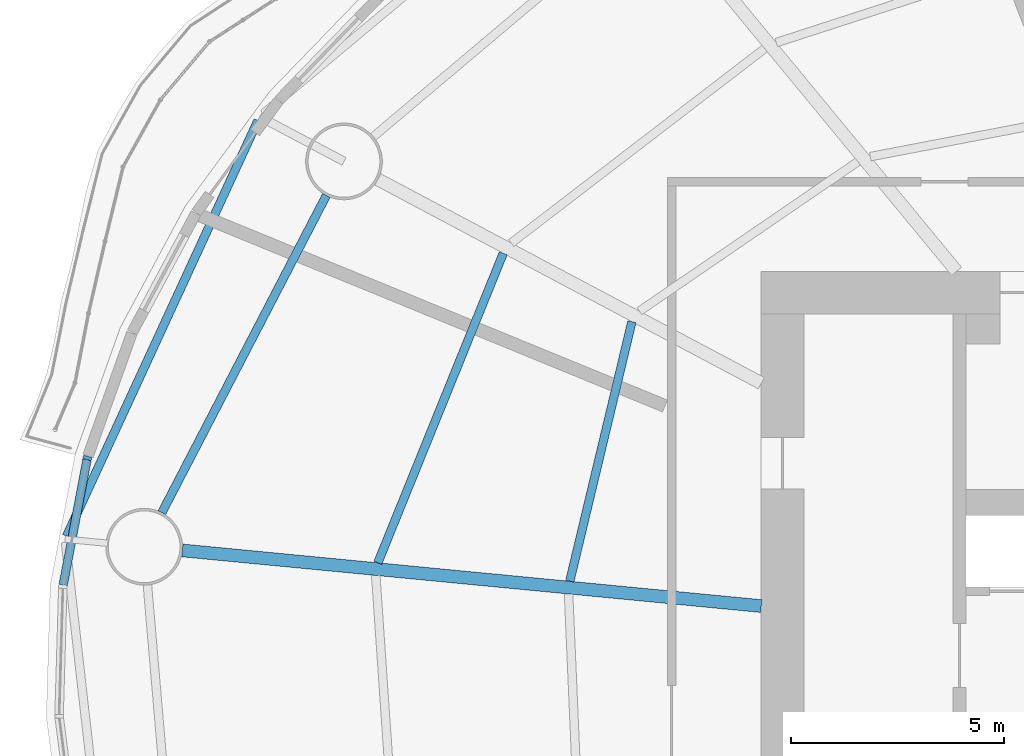
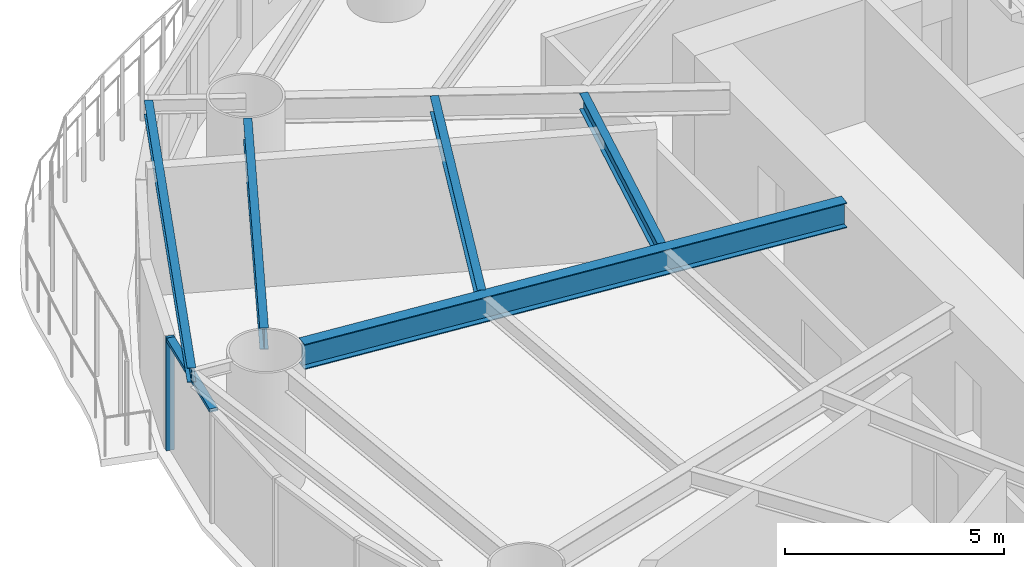
# One storey, part 3 of 16: 5 beams, 2 members, 1 element without a shape of its own.
"""IFC4 building model written with IfcOpenShell, lengths in metres."""

import ifcopenshell
import ifcopenshell.guid

model = None  # the IFC model being written
_history = None  # IfcOwnerHistory: only IFC2X3 demands one
_inside = {}  # id of a spatial element -> (the spatial element, [elements in it])
_under = {}  # id of a project, library or spatial element -> (it, [spatial elements below it])
_declared = {}  # id of a project -> (the project, [libraries it declares])
_typed = {}  # id of a type object -> (the type object, [elements of that type])
_made_of = {}  # id of a material, layer set ... -> (it, [elements and type objects made of it])


def new_model(schema):
    """Start an empty IFC model of exactly this schema.

    Asked for "IFC4X3", IfcOpenShell would pick the latest addendum, in which some entities
    have other attributes; the version numbers below select the first issue.
    IFC2X3 requires an IfcOwnerHistory on every rooted entity: one is made here for all.
    """
    global model, _history
    if schema == "IFC4X3":
        model = ifcopenshell.file(schema_version=(4, 3, 0, 0))
    else:
        model = ifcopenshell.file(schema=schema)
    _inside.clear()
    _under.clear()
    _declared.clear()
    _typed.clear()
    _made_of.clear()
    _history = None
    if model.schema == "IFC2X3":
        org = make("IfcOrganization", Name="unknown")
        user = make(
            "IfcPersonAndOrganization",
            ThePerson=make("IfcPerson", FamilyName="unknown"),
            TheOrganization=org,
        )
        app = make(
            "IfcApplication",
            ApplicationDeveloper=org,
            Version="unknown",
            ApplicationFullName="unknown",
            ApplicationIdentifier="unknown",
        )
        _history = make(
            "IfcOwnerHistory",
            OwningUser=user,
            OwningApplication=app,
            ChangeAction="ADDED",
            CreationDate=0,
        )
    return model


def make(cls, **values):
    """One entity of the class cls with the attributes given. An attribute that is None is left unset."""
    return model.create_entity(
        cls, **{name: value for name, value in values.items() if value is not None}
    )


def rooted(cls, **values):
    """An entity with a GlobalId (a new one), such as an element, a storey or a relation."""
    return make(cls, GlobalId=ifcopenshell.guid.new(), OwnerHistory=_history, **values)


def si_unit(unit_type, name, prefix=None):
    """IfcSIUnit, for example si_unit("LENGTHUNIT", "METRE", prefix="MILLI")."""
    return make("IfcSIUnit", UnitType=unit_type, Prefix=prefix, Name=name)


def assignment(units):
    """IfcUnitAssignment: the units of a project."""
    return None if units is None else make("IfcUnitAssignment", Units=units)


def point(xyz):
    """IfcCartesianPoint."""
    return None if xyz is None else make("IfcCartesianPoint", Coordinates=xyz)


def direction(xyz):
    """IfcDirection."""
    return None if xyz is None else make("IfcDirection", DirectionRatios=xyz)


def frame(location, z_axis=None, x_axis=None):
    """IfcAxis2Placement3D, a coordinate frame: its origin and axes. An axis left out is left unset."""
    return make(
        "IfcAxis2Placement3D",
        Location=point(location),
        Axis=direction(z_axis),
        RefDirection=direction(x_axis),
    )


def frame_2d(location, x_axis=None):
    """IfcAxis2Placement2D, a coordinate frame in the plane: its origin and x axis."""
    return make(
        "IfcAxis2Placement2D", Location=point(location), RefDirection=direction(x_axis)
    )


def origin():
    """The frame at (0, 0, 0) with its axes left unset."""
    return frame((0.0, 0.0, 0.0))


def origin_2d():
    """The frame at (0, 0) in the plane with its x axis left unset."""
    return frame_2d((0.0, 0.0))


def place(relative_to, where):
    """IfcLocalPlacement: puts the frame where relative to a parent placement (None: the world)."""
    return make(
        "IfcLocalPlacement", PlacementRelTo=relative_to, RelativePlacement=where
    )


def context(
    kind, dimensions, precision=None, world=None, true_north=None, identifier=None
):
    """IfcGeometricRepresentationContext, for example the 3D "Model" context."""
    return make(
        "IfcGeometricRepresentationContext",
        ContextIdentifier=identifier,
        ContextType=kind,
        CoordinateSpaceDimension=dimensions,
        Precision=precision,
        WorldCoordinateSystem=world,
        TrueNorth=true_north,
    )


def subcontext(parent, identifier, kind, view, scale=None):
    """IfcGeometricRepresentationSubContext, for example "Body" below "Model"."""
    return make(
        "IfcGeometricRepresentationSubContext",
        ContextIdentifier=identifier,
        ContextType=kind,
        ParentContext=parent,
        TargetScale=scale,
        TargetView=view,
    )


def project(units=None, contexts=None):
    """IfcProject with its units and contexts."""
    return rooted(
        "IfcProject",
        Name="project",
        RepresentationContexts=contexts,
        UnitsInContext=assignment(units),
    )


def spatial(cls, under=None, at=None, **own):
    """A site, building, storey or space (cls), placed at a placement, below another one or the project."""
    s = rooted(cls, ObjectPlacement=at, **own)
    if under is not None:
        _under.setdefault(under.id(), (under, []))[1].append(s)
    return s


def profile(cls, at=None, kind="AREA", **sizes):
    """A parametric profile (cls). Its sizes go by their IFC names, for example OverallWidth=200.0."""
    return make(cls, ProfileType=kind, Position=at, **sizes)


def rectangle(**sizes):
    """IfcRectangleProfileDef."""
    return profile("IfcRectangleProfileDef", **sizes)


def i_section(**sizes):
    """IfcIShapeProfileDef."""
    return profile("IfcIShapeProfileDef", **sizes)


def extrude(swept, where, along, depth):
    """IfcExtrudedAreaSolid: the profile swept, set in the frame where, extruded along a direction by depth."""
    return make(
        "IfcExtrudedAreaSolid",
        SweptArea=swept,
        Position=where,
        ExtrudedDirection=direction(along),
        Depth=depth,
    )


def shape(context_of_items, identifier, shape_type, items):
    """IfcShapeRepresentation: the items that make up one representation, for example the "Body"."""
    return make(
        "IfcShapeRepresentation",
        ContextOfItems=context_of_items,
        RepresentationIdentifier=identifier,
        RepresentationType=shape_type,
        Items=items,
    )


def material(Name=None, Category=None):
    """IfcMaterial."""
    return make("IfcMaterial", Name=Name, Category=Category)


def material_profile(
    of_material, cross_section, Name=None, Category=None, Priority=None
):
    """IfcMaterialProfile: a cross section and its material."""
    return make(
        "IfcMaterialProfile",
        Name=Name,
        Material=of_material,
        Profile=cross_section,
        Priority=Priority,
        Category=Category,
    )


def profile_set(profiles, Name=None, composite=None):
    """IfcMaterialProfileSet."""
    return make(
        "IfcMaterialProfileSet",
        Name=Name,
        MaterialProfiles=profiles,
        CompositeProfile=composite,
    )


def made_of(thing, what):
    """Note that an element or type object is made of a material, layer set ...; save() writes the relation."""
    if what is not None:
        _made_of.setdefault(what.id(), (what, []))[1].append(thing)
    return thing


def type_object(cls, material=None, **own):
    """A type object (cls), such as IfcWallType, which elements share."""
    return made_of(rooted(cls, **own), material)


def element(
    cls,
    number,
    at=None,
    inside=None,
    cuts=None,
    type_object=None,
    material=None,
    context=None,
    identifier="Body",
    shape_type=None,
    held_by="IfcProductDefinitionShape",
    body=None,
    shapes=None,
    **own,
):
    """One element of the class cls, such as IfcWall. Its Tag is "e" and its number.

    at: its placement. inside: the storey or other place that contains it. cuts: it is an
    opening in that element (IfcRelVoidsElement). A single representation is given by context,
    identifier, shape_type and body (its items); several are given by shapes. held_by: the class
    of the entity that holds the representations. save() writes the other relations.
    """
    e = rooted(cls, Tag="e%d" % number, ObjectPlacement=at, **own)
    if body is not None:
        shapes = [shape(context, identifier, shape_type, body)]
    if shapes is not None:
        e.Representation = make(held_by, Representations=shapes)
    if inside is not None:
        _inside.setdefault(inside.id(), (inside, []))[1].append(e)
    if cuts is not None:
        rooted(
            "IfcRelVoidsElement", RelatingBuildingElement=cuts, RelatedOpeningElement=e
        )
    if type_object is not None:
        _typed.setdefault(type_object.id(), (type_object, []))[1].append(e)
    return made_of(e, material)


def aggregate(whole, parts):
    """IfcRelAggregates: a whole, such as a stair, and the parts it consists of."""
    return rooted("IfcRelAggregates", RelatingObject=whole, RelatedObjects=parts)


def save(model, path):
    """Write the relations noted so far, then the file.

    IfcRelAggregates (storeys below a building ...), IfcRelContainedInSpatialStructure (elements
    in a storey), IfcRelDefinesByType, IfcRelAssociatesMaterial and IfcRelDeclares: one each for
    every whole, place, type object, material and project.
    """
    for whole, parts in _under.values():
        aggregate(whole, parts)
    for where, things in _inside.values():
        rooted(
            "IfcRelContainedInSpatialStructure",
            RelatedElements=things,
            RelatingStructure=where,
        )
    for kind, things in _typed.values():
        rooted("IfcRelDefinesByType", RelatedObjects=things, RelatingType=kind)
    for what, things in _made_of.values():
        rooted("IfcRelAssociatesMaterial", RelatedObjects=things, RelatingMaterial=what)
    for by, libraries in _declared.values():
        rooted("IfcRelDeclares", RelatingContext=by, RelatedDefinitions=libraries)
    model.write(path)


model = new_model("IFC4")

# Units and contexts
model_context = context("Model", 3, precision=1e-05, world=origin(), true_north=direction((0.0, 1.0)))
body_context = subcontext(model_context, "Body", "Model", "MODEL_VIEW")
ifc_project = project(units=[si_unit("LENGTHUNIT", "METRE"), si_unit("AREAUNIT", "SQUARE_METRE"), si_unit("VOLUMEUNIT", "CUBIC_METRE"), si_unit("PLANEANGLEUNIT", "RADIAN"), si_unit("MASSUNIT", "GRAM", prefix="KILO")], contexts=[model_context])

# Site, building, storey
site_placement = place(None, origin())
site = spatial("IfcSite", under=ifc_project, at=site_placement, CompositionType="ELEMENT")
building_placement = place(site_placement, origin())
building = spatial("IfcBuilding", under=site, at=building_placement, Name="Vermilion Reach Broadcast Tower", CompositionType="ELEMENT")
storey_placement = place(building_placement, frame((0.0, 0.0, 47.10009765625)))
storey = spatial("IfcBuildingStorey", under=building, at=storey_placement, Name="L08", CompositionType="ELEMENT", Elevation=47.10009765625)

# Beams
ifc_material_1 = material(Name="Steel S355J2", Category="steel")
ifc_material_profile_1 = material_profile(ifc_material_1, i_section(OverallWidth=0.199951171875, OverallDepth=0.39990234375, WebThickness=0.008056640625, FlangeThickness=0.012939453125, at=origin_2d()), Name="S355J2 HN 400x200x8x13")
ifc_profile_set_1 = profile_set([ifc_material_profile_1], Name="Steel S355J2")
beam_type_1 = type_object("IfcBeamType", Name="EB1 HN 400x200x8x13", PredefinedType="BEAM", material=ifc_profile_set_1)
beam_1_placement = place(storey_placement, frame((-29.7958984375, 12.533935546875, 3.349853515625), z_axis=(-0.41837229911, -0.908275629607, 0.0), x_axis=(0.908275629607, -0.41837229911, 0.0)))
element("IfcBeam", 1, at=beam_1_placement, inside=storey, type_object=beam_type_1, Name="Edge beam EB1-07", PredefinedType="BEAM", context=body_context, shape_type="SweptSolid", body=[
    extrude(i_section(OverallWidth=0.199951171875, OverallDepth=0.39990234375, WebThickness=0.008056640625, FlangeThickness=0.012939453125, at=origin_2d()), origin(), (0.0, 0.0, 1.0), 10.723876953125),
])
ifc_material_2 = material(Name="Steel S355J2", Category="steel")
ifc_material_profile_2 = material_profile(ifc_material_2, i_section(OverallWidth=0.300048828125, OverallDepth=0.699951171875, WebThickness=0.012939453125, FlangeThickness=0.02392578125, at=origin_2d()), Name="S355J2 HN 700x300x13x24")
ifc_profile_set_2 = profile_set([ifc_material_profile_2], Name="Steel S355J2")
beam_type_2 = type_object("IfcBeamType", Name="G1 HN 700x300x13x24", PredefinedType="BEAM", material=ifc_profile_set_2)
beam_2_placement = place(storey_placement, frame((-18.0, 1.1533203125, 3.199951171875), z_axis=(-0.995412178872, 0.095679643363, 0.0), x_axis=(-0.095679643363, -0.995412178872, 0.0)))
element("IfcBeam", 2, at=beam_2_placement, inside=storey, type_object=beam_type_2, Name="Girder G1-08", PredefinedType="BEAM", context=body_context, shape_type="SweptSolid", body=[
    extrude(i_section(OverallWidth=0.300048828125, OverallDepth=0.699951171875, WebThickness=0.012939453125, FlangeThickness=0.02392578125, at=origin_2d()), origin(), (0.0, 0.0, 1.0), 13.630859375),
])
ifc_material_3 = material(Name="Steel S355J2", Category="steel")
ifc_material_profile_3 = material_profile(ifc_material_3, i_section(OverallWidth=0.199951171875, OverallDepth=0.60009765625, WebThickness=0.010986328125, FlangeThickness=0.01708984375, at=origin_2d()), Name="S355J2 HN 600x200x11x17")
ifc_profile_set_3 = profile_set([ifc_material_profile_3], Name="Steel S355J2")
beam_type_3 = type_object("IfcBeamType", Name="RB1 HN 600x200x11x17", PredefinedType="BEAM", material=ifc_profile_set_3)
beam_3_placement = place(storey_placement, frame((-28.194091796875, 10.776611328125, 3.25), z_axis=(-0.460411617218, -0.887705549566, 0.0), x_axis=(0.887705549566, -0.460411617218, 0.0)))
element("IfcBeam", 3, at=beam_3_placement, inside=storey, type_object=beam_type_3, Name="Ring beam RB1-07", PredefinedType="BEAM", context=body_context, shape_type="SweptSolid", body=[
    extrude(i_section(OverallWidth=0.199951171875, OverallDepth=0.60009765625, WebThickness=0.010986328125, FlangeThickness=0.01708984375, at=origin_2d()), origin(), (0.0, 0.0, 1.0), 8.37451171875),
])
ifc_material_4 = material(Name="Steel S355J2", Category="steel")
ifc_material_profile_4 = material_profile(ifc_material_4, i_section(OverallWidth=0.199951171875, OverallDepth=0.449951171875, WebThickness=0.009033203125, FlangeThickness=0.013916015625, at=origin_2d()), Name="S355J2 HN 450x200x9x14")
ifc_profile_set_4 = profile_set([ifc_material_profile_4], Name="Steel S355J2")
beam_type_4 = type_object("IfcBeamType", Name="SB1 HN 450x200x9x14", PredefinedType="BEAM", material=ifc_profile_set_4)
beam_4_placement = place(storey_placement, frame((-21.031005859375, 7.81884765625, 3.324951171875), z_axis=(-0.232844467589, -0.972513986487, 0.0), x_axis=(0.972513986487, -0.232844467589, 0.0)))
element("IfcBeam", 4, at=beam_4_placement, inside=storey, type_object=beam_type_4, Name="Secondary beam SB1-07-1", PredefinedType="BEAM", context=body_context, shape_type="SweptSolid", body=[
    extrude(i_section(OverallWidth=0.199951171875, OverallDepth=0.449951171875, WebThickness=0.009033203125, FlangeThickness=0.013916015625, at=origin_2d()), origin(), (0.0, 0.0, 1.0), 6.25537109375),
])
beam_5_placement = place(storey_placement, frame((-24.046630859375, 9.421630859375, 3.324951171875), z_axis=(-0.375640669938, -0.926765389453, 0.0), x_axis=(0.926765389453, -0.375640669938, 0.0)))
element("IfcBeam", 5, at=beam_5_placement, inside=storey, type_object=beam_type_4, Name="Secondary beam SB1-07-2", PredefinedType="BEAM", context=body_context, shape_type="SweptSolid", body=[
    extrude(i_section(OverallWidth=0.199951171875, OverallDepth=0.449951171875, WebThickness=0.009033203125, FlangeThickness=0.013916015625, at=origin_2d()), origin(), (0.0, 0.0, 1.0), 7.8271484375),
])

# Curtain wall, members
ifc_material_5 = material(Name="Low-e laminated clear glass in aluminium frame", Category="aluminium")
curtain_wall_type = type_object("IfcCurtainWallType", Name="Slot curtain wall", PredefinedType="NOTDEFINED", material=ifc_material_5)
curtain_wall_placement = place(storey_placement, origin())
curtain_wall = element("IfcCurtainWall", 6, at=curtain_wall_placement, inside=storey, type_object=curtain_wall_type, Name="Slot curtain wall L08 22", PredefinedType="NOTDEFINED")
ifc_material_6 = material(Name="Anodised aluminium", Category="aluminium")
ifc_material_profile_5 = material_profile(ifc_material_6, rectangle(XDim=0.199951171875, YDim=0.080078125, at=origin_2d()), Name="Slot mullion 80 x 200")
ifc_profile_set_5 = profile_set([ifc_material_profile_5], Name="Anodised aluminium")
member_type_1 = type_object("IfcMemberType", Name="Slot mullion 80 x 200", PredefinedType="MULLION", material=ifc_profile_set_5)
member_1_placement = place(storey_placement, frame((-33.7958984375, 4.623046875, 0.0), z_axis=(0.0, 0.0, 1.0), x_axis=(0.965046555753, -0.262078509668, 0.0)))
member_1 = element("IfcMember", 7, at=member_1_placement, type_object=member_type_1, Name="Slot mullion L08 22", PredefinedType="MULLION", context=body_context, shape_type="SweptSolid", body=[
    extrude(rectangle(XDim=0.199951171875, YDim=0.080078125, at=origin_2d()), origin(), (0.0, 0.0, 1.0), 3.14990234375),
])
ifc_material_7 = material(Name="Anodised aluminium", Category="aluminium")
ifc_material_profile_6 = material_profile(ifc_material_7, rectangle(XDim=0.199951171875, YDim=0.10009765625, at=origin_2d()), Name="Slot transom 200 x 100")
ifc_profile_set_6 = profile_set([ifc_material_profile_6], Name="Anodised aluminium")
member_type_2 = type_object("IfcMemberType", Name="Slot transom 200 x 100", PredefinedType="USERDEFINED", material=ifc_profile_set_6)
member_2_placement = place(storey_placement, frame((-33.803466796875, 4.583740234375, 3.099853515625), z_axis=(-0.186774198324, -0.982402869927, 0.0), x_axis=(0.982402869927, -0.186774198324, 0.0)))
member_2 = element("IfcMember", 8, at=member_2_placement, type_object=member_type_2, Name="Slot transom L08 22.1", ObjectType="TRANSOM", PredefinedType="USERDEFINED", context=body_context, shape_type="SweptSolid", body=[
    extrude(rectangle(XDim=0.199951171875, YDim=0.10009765625, at=origin_2d()), origin(), (0.0, 0.0, 1.0), 2.988037109375),
])
aggregate(curtain_wall, [member_1, member_2])

save(model, "model.ifc")
